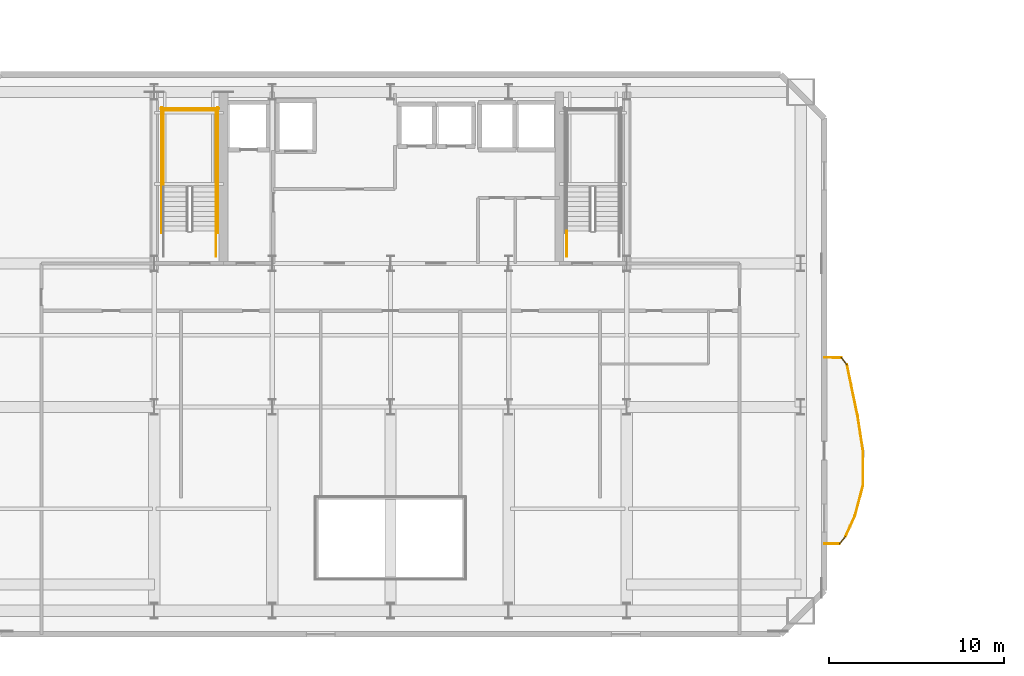
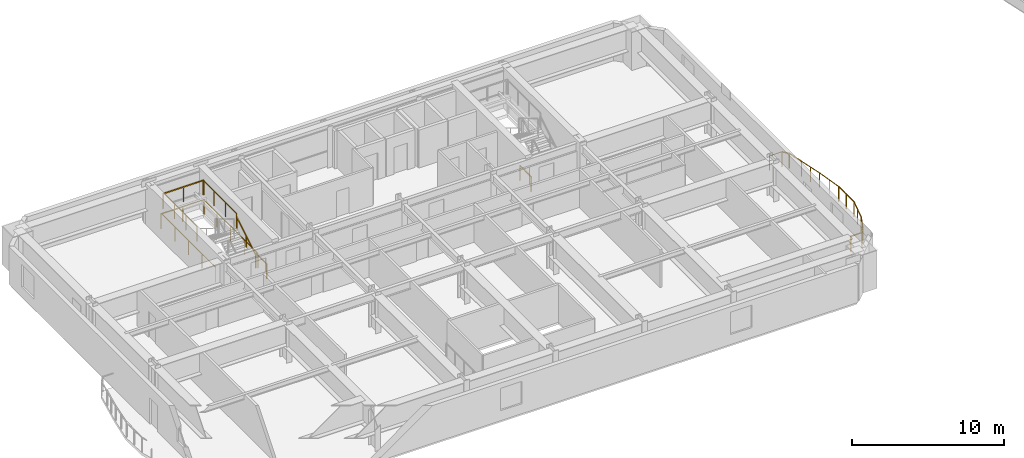
# One storey, part 13 of 16: 19 railings.
"""IFC4 building model written with IfcOpenShell, lengths in metres."""

import ifcopenshell
import ifcopenshell.guid

model = None  # the IFC model being written
_history = None  # IfcOwnerHistory: only IFC2X3 demands one
_inside = {}  # id of a spatial element -> (the spatial element, [elements in it])
_under = {}  # id of a project, library or spatial element -> (it, [spatial elements below it])
_declared = {}  # id of a project -> (the project, [libraries it declares])
_typed = {}  # id of a type object -> (the type object, [elements of that type])
_made_of = {}  # id of a material, layer set ... -> (it, [elements and type objects made of it])


def new_model(schema):
    """Start an empty IFC model of exactly this schema.

    Asked for "IFC4X3", IfcOpenShell would pick the latest addendum, in which some entities
    have other attributes; the version numbers below select the first issue.
    IFC2X3 requires an IfcOwnerHistory on every rooted entity: one is made here for all.
    """
    global model, _history
    if schema == "IFC4X3":
        model = ifcopenshell.file(schema_version=(4, 3, 0, 0))
    else:
        model = ifcopenshell.file(schema=schema)
    _inside.clear()
    _under.clear()
    _declared.clear()
    _typed.clear()
    _made_of.clear()
    _history = None
    if model.schema == "IFC2X3":
        org = make("IfcOrganization", Name="unknown")
        user = make(
            "IfcPersonAndOrganization",
            ThePerson=make("IfcPerson", FamilyName="unknown"),
            TheOrganization=org,
        )
        app = make(
            "IfcApplication",
            ApplicationDeveloper=org,
            Version="unknown",
            ApplicationFullName="unknown",
            ApplicationIdentifier="unknown",
        )
        _history = make(
            "IfcOwnerHistory",
            OwningUser=user,
            OwningApplication=app,
            ChangeAction="ADDED",
            CreationDate=0,
        )
    return model


def make(cls, **values):
    """One entity of the class cls with the attributes given. An attribute that is None is left unset."""
    return model.create_entity(
        cls, **{name: value for name, value in values.items() if value is not None}
    )


def rooted(cls, **values):
    """An entity with a GlobalId (a new one), such as an element, a storey or a relation."""
    return make(cls, GlobalId=ifcopenshell.guid.new(), OwnerHistory=_history, **values)


def si_unit(unit_type, name, prefix=None):
    """IfcSIUnit, for example si_unit("LENGTHUNIT", "METRE", prefix="MILLI")."""
    return make("IfcSIUnit", UnitType=unit_type, Prefix=prefix, Name=name)


def assignment(units):
    """IfcUnitAssignment: the units of a project."""
    return None if units is None else make("IfcUnitAssignment", Units=units)


def point(xyz):
    """IfcCartesianPoint."""
    return None if xyz is None else make("IfcCartesianPoint", Coordinates=xyz)


def direction(xyz):
    """IfcDirection."""
    return None if xyz is None else make("IfcDirection", DirectionRatios=xyz)


def frame(location, z_axis=None, x_axis=None):
    """IfcAxis2Placement3D, a coordinate frame: its origin and axes. An axis left out is left unset."""
    return make(
        "IfcAxis2Placement3D",
        Location=point(location),
        Axis=direction(z_axis),
        RefDirection=direction(x_axis),
    )


def frame_2d(location, x_axis=None):
    """IfcAxis2Placement2D, a coordinate frame in the plane: its origin and x axis."""
    return make(
        "IfcAxis2Placement2D", Location=point(location), RefDirection=direction(x_axis)
    )


def origin():
    """The frame at (0, 0, 0) with its axes left unset."""
    return frame((0.0, 0.0, 0.0))


def origin_2d():
    """The frame at (0, 0) in the plane with its x axis left unset."""
    return frame_2d((0.0, 0.0))


def place(relative_to, where):
    """IfcLocalPlacement: puts the frame where relative to a parent placement (None: the world)."""
    return make(
        "IfcLocalPlacement", PlacementRelTo=relative_to, RelativePlacement=where
    )


def context(
    kind, dimensions, precision=None, world=None, true_north=None, identifier=None
):
    """IfcGeometricRepresentationContext, for example the 3D "Model" context."""
    return make(
        "IfcGeometricRepresentationContext",
        ContextIdentifier=identifier,
        ContextType=kind,
        CoordinateSpaceDimension=dimensions,
        Precision=precision,
        WorldCoordinateSystem=world,
        TrueNorth=true_north,
    )


def subcontext(parent, identifier, kind, view, scale=None):
    """IfcGeometricRepresentationSubContext, for example "Body" below "Model"."""
    return make(
        "IfcGeometricRepresentationSubContext",
        ContextIdentifier=identifier,
        ContextType=kind,
        ParentContext=parent,
        TargetScale=scale,
        TargetView=view,
    )


def project(units=None, contexts=None):
    """IfcProject with its units and contexts."""
    return rooted(
        "IfcProject",
        Name="project",
        RepresentationContexts=contexts,
        UnitsInContext=assignment(units),
    )


def spatial(cls, under=None, at=None, **own):
    """A site, building, storey or space (cls), placed at a placement, below another one or the project."""
    s = rooted(cls, ObjectPlacement=at, **own)
    if under is not None:
        _under.setdefault(under.id(), (under, []))[1].append(s)
    return s


def profile(cls, at=None, kind="AREA", **sizes):
    """A parametric profile (cls). Its sizes go by their IFC names, for example OverallWidth=200.0."""
    return make(cls, ProfileType=kind, Position=at, **sizes)


def rectangle(**sizes):
    """IfcRectangleProfileDef."""
    return profile("IfcRectangleProfileDef", **sizes)


def extrude(swept, where, along, depth):
    """IfcExtrudedAreaSolid: the profile swept, set in the frame where, extruded along a direction by depth."""
    return make(
        "IfcExtrudedAreaSolid",
        SweptArea=swept,
        Position=where,
        ExtrudedDirection=direction(along),
        Depth=depth,
    )


def shape(context_of_items, identifier, shape_type, items):
    """IfcShapeRepresentation: the items that make up one representation, for example the "Body"."""
    return make(
        "IfcShapeRepresentation",
        ContextOfItems=context_of_items,
        RepresentationIdentifier=identifier,
        RepresentationType=shape_type,
        Items=items,
    )


def material(Name=None, Category=None):
    """IfcMaterial."""
    return make("IfcMaterial", Name=Name, Category=Category)


def made_of(thing, what):
    """Note that an element or type object is made of a material, layer set ...; save() writes the relation."""
    if what is not None:
        _made_of.setdefault(what.id(), (what, []))[1].append(thing)
    return thing


def type_object(cls, material=None, **own):
    """A type object (cls), such as IfcWallType, which elements share."""
    return made_of(rooted(cls, **own), material)


def element(
    cls,
    number,
    at=None,
    inside=None,
    cuts=None,
    type_object=None,
    material=None,
    context=None,
    identifier="Body",
    shape_type=None,
    held_by="IfcProductDefinitionShape",
    body=None,
    shapes=None,
    **own,
):
    """One element of the class cls, such as IfcWall. Its Tag is "e" and its number.

    at: its placement. inside: the storey or other place that contains it. cuts: it is an
    opening in that element (IfcRelVoidsElement). A single representation is given by context,
    identifier, shape_type and body (its items); several are given by shapes. held_by: the class
    of the entity that holds the representations. save() writes the other relations.
    """
    e = rooted(cls, Tag="e%d" % number, ObjectPlacement=at, **own)
    if body is not None:
        shapes = [shape(context, identifier, shape_type, body)]
    if shapes is not None:
        e.Representation = make(held_by, Representations=shapes)
    if inside is not None:
        _inside.setdefault(inside.id(), (inside, []))[1].append(e)
    if cuts is not None:
        rooted(
            "IfcRelVoidsElement", RelatingBuildingElement=cuts, RelatedOpeningElement=e
        )
    if type_object is not None:
        _typed.setdefault(type_object.id(), (type_object, []))[1].append(e)
    return made_of(e, material)


def aggregate(whole, parts):
    """IfcRelAggregates: a whole, such as a stair, and the parts it consists of."""
    return rooted("IfcRelAggregates", RelatingObject=whole, RelatedObjects=parts)


def save(model, path):
    """Write the relations noted so far, then the file.

    IfcRelAggregates (storeys below a building ...), IfcRelContainedInSpatialStructure (elements
    in a storey), IfcRelDefinesByType, IfcRelAssociatesMaterial and IfcRelDeclares: one each for
    every whole, place, type object, material and project.
    """
    for whole, parts in _under.values():
        aggregate(whole, parts)
    for where, things in _inside.values():
        rooted(
            "IfcRelContainedInSpatialStructure",
            RelatedElements=things,
            RelatingStructure=where,
        )
    for kind, things in _typed.values():
        rooted("IfcRelDefinesByType", RelatedObjects=things, RelatingType=kind)
    for what, things in _made_of.values():
        rooted("IfcRelAssociatesMaterial", RelatedObjects=things, RelatingMaterial=what)
    for by, libraries in _declared.values():
        rooted("IfcRelDeclares", RelatingContext=by, RelatedDefinitions=libraries)
    model.write(path)


model = new_model("IFC4")

# Units and contexts
model_context = context("Model", 3, precision=1e-05, world=origin(), true_north=direction((0.0, 1.0)))
body_context = subcontext(model_context, "Body", "Model", "MODEL_VIEW")
ifc_project = project(units=[si_unit("LENGTHUNIT", "METRE"), si_unit("AREAUNIT", "SQUARE_METRE"), si_unit("VOLUMEUNIT", "CUBIC_METRE"), si_unit("PLANEANGLEUNIT", "RADIAN"), si_unit("MASSUNIT", "GRAM", prefix="KILO")], contexts=[model_context])

# Site, building, storey
site_placement = place(None, origin())
site = spatial("IfcSite", under=ifc_project, at=site_placement, CompositionType="ELEMENT")
building_placement = place(site_placement, origin())
building = spatial("IfcBuilding", under=site, at=building_placement, Name="Haevon Station Towers", CompositionType="ELEMENT")
storey_placement = place(building_placement, frame((0.0, 0.0, 90.0)))
storey = spatial("IfcBuildingStorey", under=building, at=storey_placement, Name="L23", CompositionType="ELEMENT", Elevation=90.0)

# Railings
ifc_material = material(Name="Steel S355", Category="steel")
railing_type_1 = type_object("IfcRailingType", Name="GRD-EXT1200", PredefinedType="GUARDRAIL", material=ifc_material)
railing_1_placement = place(storey_placement, frame((62.3232421875, 22.177978515625, 0.0)))
element("IfcRailing", 1, at=railing_1_placement, inside=storey, type_object=railing_type_1, Name="L23 Perimeter Guardrail 1", PredefinedType="GUARDRAIL", context=body_context, shape_type="SweptSolid", body=[
    extrude(rectangle(XDim=0.048095703125, YDim=0.048095703125, at=origin_2d()), frame((0.0, 0.0, 1.17578125), z_axis=(0.999997919967, 0.002039622797, 0.0), x_axis=(-0.002039622797, 0.999997919967, 0.0)), (0.0, 0.0, 1.0), 0.837890625),
    extrude(rectangle(XDim=0.0419921875, YDim=0.0419921875, at=origin_2d()), origin(), (0.0, 0.0, 1.0), 1.15185546875),
    extrude(rectangle(XDim=0.0419921875, YDim=0.0419921875, at=origin_2d()), frame((0.837890625, 0.001708984375, 0.0)), (0.0, 0.0, 1.0), 1.15185546875),
])
railing_2_placement = place(storey_placement, frame((63.1611328125, 22.1796875, 0.0)))
element("IfcRailing", 2, at=railing_2_placement, inside=storey, type_object=railing_type_1, Name="L23 Perimeter Guardrail 2", PredefinedType="GUARDRAIL", context=body_context, shape_type="SweptSolid", body=[
    extrude(rectangle(XDim=0.048095703125, YDim=0.048095703125, at=origin_2d()), frame((0.0, 0.0, 1.17578125), z_axis=(0.640139552031, 0.768258650407, 0.0), x_axis=(-0.768258650407, 0.640139552031, 0.0)), (0.0, 0.0, 1.0), 0.535400390625),
    extrude(rectangle(XDim=0.0419921875, YDim=0.0419921875, at=origin_2d()), origin(), (0.0, 0.0, 1.0), 1.15185546875),
    extrude(rectangle(XDim=0.0419921875, YDim=0.0419921875, at=origin_2d()), frame((0.3427734375, 0.411376953125, 0.0)), (0.0, 0.0, 1.0), 1.15185546875),
])
railing_3_placement = place(storey_placement, frame((63.50390625, 22.591064453125, 0.0)))
element("IfcRailing", 3, at=railing_3_placement, inside=storey, type_object=railing_type_1, Name="L23 Perimeter Guardrail 3", PredefinedType="GUARDRAIL", context=body_context, shape_type="SweptSolid", body=[
    extrude(rectangle(XDim=0.048095703125, YDim=0.048095703125, at=origin_2d()), frame((0.0, 0.0, 1.17578125), z_axis=(0.415661077418, 0.909519581273, 0.0), x_axis=(-0.909519581273, 0.415661077418, 0.0)), (0.0, 0.0, 1.0), 1.286376953125),
    extrude(rectangle(XDim=0.0419921875, YDim=0.0419921875, at=origin_2d()), origin(), (0.0, 0.0, 1.0), 1.15185546875),
    extrude(rectangle(XDim=0.0419921875, YDim=0.0419921875, at=origin_2d()), frame((0.267333984375, 0.5849609375, 0.0)), (0.0, 0.0, 1.0), 1.15185546875),
    extrude(rectangle(XDim=0.0419921875, YDim=0.0419921875, at=origin_2d()), frame((0.53466796875, 1.169921875, 0.0)), (0.0, 0.0, 1.0), 1.15185546875),
])
railing_4_placement = place(storey_placement, frame((64.03857421875, 23.760986328125, 0.0)))
element("IfcRailing", 4, at=railing_4_placement, inside=storey, type_object=railing_type_1, Name="L23 Perimeter Guardrail 4", PredefinedType="GUARDRAIL", context=body_context, shape_type="SweptSolid", body=[
    extrude(rectangle(XDim=0.048095703125, YDim=0.048095703125, at=origin_2d()), frame((0.0, 0.0, 1.17578125), z_axis=(0.257014643821, 0.966407508695, 0.0), x_axis=(-0.966407508695, 0.257014643821, 0.0)), (0.0, 0.0, 1.0), 1.8056640625),
    extrude(rectangle(XDim=0.0419921875, YDim=0.0419921875, at=origin_2d()), origin(), (0.0, 0.0, 1.0), 1.15185546875),
    extrude(rectangle(XDim=0.0419921875, YDim=0.0419921875, at=origin_2d()), frame((0.23193359375, 0.87255859375, 0.0)), (0.0, 0.0, 1.0), 1.15185546875),
    extrude(rectangle(XDim=0.0419921875, YDim=0.0419921875, at=origin_2d()), frame((0.464111328125, 1.7451171875, 0.0)), (0.0, 0.0, 1.0), 1.15185546875),
])
railing_5_placement = place(storey_placement, frame((64.502685546875, 25.506103515625, 0.0)))
element("IfcRailing", 5, at=railing_5_placement, inside=storey, type_object=railing_type_1, Name="L23 Perimeter Guardrail 5", PredefinedType="GUARDRAIL", context=body_context, shape_type="SweptSolid", body=[
    extrude(rectangle(XDim=0.048095703125, YDim=0.048095703125, at=origin_2d()), frame((0.0, 0.0, 1.17578125), z_axis=(0.000857107558, 0.999999632683, 0.0), x_axis=(-0.999999632683, 0.000857107558, 0.0)), (0.0, 0.0, 1.0), 1.993896484375),
    extrude(rectangle(XDim=0.0419921875, YDim=0.0419921875, at=origin_2d()), origin(), (0.0, 0.0, 1.0), 1.15185546875),
    extrude(rectangle(XDim=0.0419921875, YDim=0.0419921875, at=origin_2d()), frame((0.0009765625, 0.9970703125, 0.0)), (0.0, 0.0, 1.0), 1.15185546875),
    extrude(rectangle(XDim=0.0419921875, YDim=0.0419921875, at=origin_2d()), frame((0.001708984375, 1.993896484375, 0.0)), (0.0, 0.0, 1.0), 1.15185546875),
])
railing_6_placement = place(storey_placement, frame((64.50439453125, 27.5, 0.0)))
element("IfcRailing", 6, at=railing_6_placement, inside=storey, type_object=railing_type_1, Name="L23 Perimeter Guardrail 6", PredefinedType="GUARDRAIL", context=body_context, shape_type="SweptSolid", body=[
    extrude(rectangle(XDim=0.048095703125, YDim=0.048095703125, at=origin_2d()), frame((0.0, 0.0, 1.17578125), z_axis=(-0.153241396633, 0.988188784776, 0.0), x_axis=(-0.988188784776, -0.153241396633, 0.0)), (0.0, 0.0, 1.0), 2.013671875),
    extrude(rectangle(XDim=0.0419921875, YDim=0.0419921875, at=origin_2d()), origin(), (0.0, 0.0, 1.0), 1.15185546875),
    extrude(rectangle(XDim=0.0419921875, YDim=0.0419921875, at=origin_2d()), frame((-0.154296875, 0.9951171875, 0.0)), (0.0, 0.0, 1.0), 1.15185546875),
    extrude(rectangle(XDim=0.0419921875, YDim=0.0419921875, at=origin_2d()), frame((-0.30859375, 1.989990234375, 0.0)), (0.0, 0.0, 1.0), 1.15185546875),
])
railing_7_placement = place(storey_placement, frame((64.19580078125, 29.489990234375, 0.0)))
element("IfcRailing", 7, at=railing_7_placement, inside=storey, type_object=railing_type_1, Name="L23 Perimeter Guardrail 7", PredefinedType="GUARDRAIL", context=body_context, shape_type="SweptSolid", body=[
    extrude(rectangle(XDim=0.048095703125, YDim=0.048095703125, at=origin_2d()), frame((0.0, 0.0, 1.17578125), z_axis=(-0.203550270134, 0.979064496103, 0.0), x_axis=(-0.979064496103, -0.203550270134, 0.0)), (0.0, 0.0, 1.0), 1.785888671875),
    extrude(rectangle(XDim=0.0419921875, YDim=0.0419921875, at=origin_2d()), origin(), (0.0, 0.0, 1.0), 1.15185546875),
    extrude(rectangle(XDim=0.0419921875, YDim=0.0419921875, at=origin_2d()), frame((-0.181640625, 0.874267578125, 0.0)), (0.0, 0.0, 1.0), 1.15185546875),
    extrude(rectangle(XDim=0.0419921875, YDim=0.0419921875, at=origin_2d()), frame((-0.363525390625, 1.74853515625, 0.0)), (0.0, 0.0, 1.0), 1.15185546875),
])
railing_8_placement = place(storey_placement, frame((63.832275390625, 31.238525390625, 0.0)))
element("IfcRailing", 8, at=railing_8_placement, inside=storey, type_object=railing_type_1, Name="L23 Perimeter Guardrail 8", PredefinedType="GUARDRAIL", context=body_context, shape_type="SweptSolid", body=[
    extrude(rectangle(XDim=0.048095703125, YDim=0.048095703125, at=origin_2d()), frame((0.0, 0.0, 1.17578125), z_axis=(-0.202240814384, 0.97933582238, 0.0), x_axis=(-0.97933582238, -0.202240814384, 0.0)), (0.0, 0.0, 1.0), 1.195068359375),
    extrude(rectangle(XDim=0.0419921875, YDim=0.0419921875, at=origin_2d()), origin(), (0.0, 0.0, 1.0), 1.15185546875),
    extrude(rectangle(XDim=0.0419921875, YDim=0.0419921875, at=origin_2d()), frame((-0.24169921875, 1.17041015625, 0.0)), (0.0, 0.0, 1.0), 1.15185546875),
])
railing_9_placement = place(storey_placement, frame((63.590576171875, 32.408935546875, 0.0)))
element("IfcRailing", 9, at=railing_9_placement, inside=storey, type_object=railing_type_1, Name="L23 Perimeter Guardrail 9", PredefinedType="GUARDRAIL", context=body_context, shape_type="SweptSolid", body=[
    extrude(rectangle(XDim=0.048095703125, YDim=0.048095703125, at=origin_2d()), frame((0.0, 0.0, 1.17578125), z_axis=(-0.61835728621, 0.785897109417, 0.0), x_axis=(-0.785897109417, -0.61835728621, 0.0)), (0.0, 0.0, 1.0), 0.523193359375),
    extrude(rectangle(XDim=0.0419921875, YDim=0.0419921875, at=origin_2d()), origin(), (0.0, 0.0, 1.0), 1.15185546875),
    extrude(rectangle(XDim=0.0419921875, YDim=0.0419921875, at=origin_2d()), frame((-0.323486328125, 0.4111328125, 0.0)), (0.0, 0.0, 1.0), 1.15185546875),
])
railing_10_placement = place(storey_placement, frame((63.26708984375, 32.820068359375, 0.0)))
element("IfcRailing", 10, at=railing_10_placement, inside=storey, type_object=railing_type_1, Name="L23 Perimeter Guardrail 10", PredefinedType="GUARDRAIL", context=body_context, shape_type="SweptSolid", body=[
    extrude(rectangle(XDim=0.048095703125, YDim=0.048095703125, at=origin_2d()), frame((0.0, 0.0, 1.17578125), z_axis=(-0.999997858959, 0.002069317866, 0.0), x_axis=(-0.002069317866, -0.999997858959, 0.0)), (0.0, 0.0, 1.0), 0.94384765625),
    extrude(rectangle(XDim=0.0419921875, YDim=0.0419921875, at=origin_2d()), origin(), (0.0, 0.0, 1.0), 1.15185546875),
    extrude(rectangle(XDim=0.0419921875, YDim=0.0419921875, at=origin_2d()), frame((-0.94384765625, 0.001953125, 0.0)), (0.0, 0.0, 1.0), 1.15185546875),
])
railing_type_2 = type_object("IfcRailingType", Name="GRD-STR1200", PredefinedType="GUARDRAIL", material=ifc_material)
for number, where, name in (
    (11, (27.530029296875, 42.570068359375, 1.64990234375), "L23 ST1 Stair Guard 3"),
    (12, (24.530029296875, 42.570068359375, 1.64990234375), "L23 ST1 Stair Guard 4"),
):
    element("IfcRailing", number, at=place(storey_placement, frame(where)), inside=storey, type_object=railing_type_2, Name=name, PredefinedType="GUARDRAIL", context=body_context, shape_type="SweptSolid", body=[
        extrude(rectangle(XDim=0.048095703125, YDim=0.048095703125, at=origin_2d()), frame((0.0, 0.0, 1.17578125), z_axis=(0.0, 1.0, 0.0), x_axis=(-1.0, 0.0, 0.0)), (0.0, 0.0, 1.0), 4.429931640625),
        extrude(rectangle(XDim=0.0419921875, YDim=0.0419921875, at=origin_2d()), origin(), (0.0, 0.0, 1.0), 1.15185546875),
        extrude(rectangle(XDim=0.0419921875, YDim=0.0419921875, at=origin_2d()), frame((0.0, 1.4765625, 0.0)), (0.0, 0.0, 1.0), 1.15185546875),
        extrude(rectangle(XDim=0.0419921875, YDim=0.0419921875, at=origin_2d()), frame((0.0, 2.953369140625, 0.0)), (0.0, 0.0, 1.0), 1.15185546875),
        extrude(rectangle(XDim=0.0419921875, YDim=0.0419921875, at=origin_2d()), frame((0.0, 4.429931640625, 0.0)), (0.0, 0.0, 1.0), 1.15185546875),
    ])
railing_11_placement = place(storey_placement, frame((27.580078125, 46.949951171875, 1.64990234375)))
element("IfcRailing", 13, at=railing_11_placement, inside=storey, type_object=railing_type_2, Name="L23 ST1 Stair Guard 5", PredefinedType="GUARDRAIL", context=body_context, shape_type="SweptSolid", body=[
    extrude(rectangle(XDim=0.048095703125, YDim=0.048095703125, at=origin_2d()), frame((0.0, 0.0, 1.17578125), z_axis=(-1.0, 0.0, 0.0), x_axis=(0.0, -1.0, 0.0)), (0.0, 0.0, 1.0), 3.10009765625),
    extrude(rectangle(XDim=0.0419921875, YDim=0.0419921875, at=origin_2d()), origin(), (0.0, 0.0, 1.0), 1.15185546875),
    extrude(rectangle(XDim=0.0419921875, YDim=0.0419921875, at=origin_2d()), frame((-1.550048828125, 0.0, 0.0)), (0.0, 0.0, 1.0), 1.15185546875),
    extrude(rectangle(XDim=0.0419921875, YDim=0.0419921875, at=origin_2d()), frame((-3.10009765625, 0.0, 0.0)), (0.0, 0.0, 1.0), 1.15185546875),
])
railing_12_placement = place(storey_placement, frame((27.530029296875, 38.60009765625, 0.0)))
element("IfcRailing", 14, at=railing_12_placement, inside=storey, type_object=railing_type_2, Name="L23 ST1 Stair Guard 8", PredefinedType="GUARDRAIL", context=body_context, shape_type="SweptSolid", body=[
    extrude(rectangle(XDim=0.048095703125, YDim=0.048095703125, at=origin_2d()), frame((0.0, 0.0, 1.17578125), z_axis=(0.0, 1.0, 0.0), x_axis=(-1.0, 0.0, 0.0)), (0.0, 0.0, 1.0), 1.449951171875),
    extrude(rectangle(XDim=0.0419921875, YDim=0.0419921875, at=origin_2d()), origin(), (0.0, 0.0, 1.0), 1.15185546875),
    extrude(rectangle(XDim=0.0419921875, YDim=0.0419921875, at=origin_2d()), frame((0.0, 1.449951171875, 0.0)), (0.0, 0.0, 1.0), 1.15185546875),
])
for number, where, name in (
    (15, (27.6298828125, 39.949951171875, 0.0), "L23 ST1 Stair Guard 10"),
    (16, (24.429931640625, 39.949951171875, 0.0), "L23 ST1 Stair Guard 11"),
):
    element("IfcRailing", number, at=place(storey_placement, frame(where)), inside=storey, type_object=railing_type_2, Name=name, PredefinedType="GUARDRAIL", context=body_context, shape_type="SweptSolid", body=[
        extrude(rectangle(XDim=0.048095703125, YDim=0.048095703125, at=origin_2d()), frame((0.0, 0.0, 1.17578125), z_axis=(0.0, 1.0, 0.0), x_axis=(-1.0, 0.0, 0.0)), (0.0, 0.0, 1.0), 7.150146484375),
        extrude(rectangle(XDim=0.0419921875, YDim=0.0419921875, at=origin_2d()), origin(), (0.0, 0.0, 1.0), 1.15185546875),
        extrude(rectangle(XDim=0.0419921875, YDim=0.0419921875, at=origin_2d()), frame((0.0, 1.78759765625, 0.0)), (0.0, 0.0, 1.0), 1.15185546875),
        extrude(rectangle(XDim=0.0419921875, YDim=0.0419921875, at=origin_2d()), frame((0.0, 3.5751953125, 0.0)), (0.0, 0.0, 1.0), 1.15185546875),
        extrude(rectangle(XDim=0.0419921875, YDim=0.0419921875, at=origin_2d()), frame((0.0, 5.362548828125, 0.0)), (0.0, 0.0, 1.0), 1.15185546875),
        extrude(rectangle(XDim=0.0419921875, YDim=0.0419921875, at=origin_2d()), frame((0.0, 7.150146484375, 0.0)), (0.0, 0.0, 1.0), 1.15185546875),
    ])
railing_13_placement = place(storey_placement, frame((27.679931640625, 47.050048828125, 0.0)))
element("IfcRailing", 17, at=railing_13_placement, inside=storey, type_object=railing_type_2, Name="L23 ST1 Stair Guard 12", PredefinedType="GUARDRAIL", context=body_context, shape_type="SweptSolid", body=[
    extrude(rectangle(XDim=0.048095703125, YDim=0.048095703125, at=origin_2d()), frame((0.0, 0.0, 1.17578125), z_axis=(-1.0, 0.0, 0.0), x_axis=(0.0, -1.0, 0.0)), (0.0, 0.0, 1.0), 3.300048828125),
    extrude(rectangle(XDim=0.0419921875, YDim=0.0419921875, at=origin_2d()), origin(), (0.0, 0.0, 1.0), 1.15185546875),
    extrude(rectangle(XDim=0.0419921875, YDim=0.0419921875, at=origin_2d()), frame((-1.64990234375, 0.0, 0.0)), (0.0, 0.0, 1.0), 1.15185546875),
    extrude(rectangle(XDim=0.0419921875, YDim=0.0419921875, at=origin_2d()), frame((-3.300048828125, 0.0, 0.0)), (0.0, 0.0, 1.0), 1.15185546875),
])
railing_14_placement = place(storey_placement, frame((47.570068359375, 38.60009765625, 0.0)))
element("IfcRailing", 18, at=railing_14_placement, inside=storey, type_object=railing_type_2, Name="L23 ST2 Stair Guard 9", PredefinedType="GUARDRAIL", context=body_context, shape_type="SweptSolid", body=[
    extrude(rectangle(XDim=0.048095703125, YDim=0.048095703125, at=origin_2d()), frame((0.0, 0.0, 1.17578125), z_axis=(0.0, 1.0, 0.0), x_axis=(-1.0, 0.0, 0.0)), (0.0, 0.0, 1.0), 1.449951171875),
    extrude(rectangle(XDim=0.0419921875, YDim=0.0419921875, at=origin_2d()), origin(), (0.0, 0.0, 1.0), 1.15185546875),
    extrude(rectangle(XDim=0.0419921875, YDim=0.0419921875, at=origin_2d()), frame((0.0, 1.449951171875, 0.0)), (0.0, 0.0, 1.0), 1.15185546875),
])
railing_type_3 = type_object("IfcRailingType", Name="HND-STR900", PredefinedType="HANDRAIL", material=ifc_material)
railing_15_placement = place(storey_placement, frame((27.530029296875, 40.050048828125, 0.1650390625)))
element("IfcRailing", 19, at=railing_15_placement, inside=storey, type_object=railing_type_3, Name="L23 ST1 Stair Handrail 1", PredefinedType="HANDRAIL", context=body_context, shape_type="SweptSolid", body=[
    extrude(rectangle(XDim=0.048095703125, YDim=0.048095703125, at=origin_2d()), frame((0.0, 0.0, 0.8759765625), z_axis=(0.0, 0.861560626758, 0.507654692109), x_axis=(-1.0, 0.0, 0.0)), (0.0, 0.0, 1.0), 2.925048828125),
    extrude(rectangle(XDim=0.0419921875, YDim=0.0419921875, at=origin_2d()), origin(), (0.0, 0.0, 1.0), 0.851806640625),
    extrude(rectangle(XDim=0.0419921875, YDim=0.0419921875, at=origin_2d()), frame((0.0, 1.260009765625, 0.742431640625)), (0.0, 0.0, 1.0), 0.851806640625),
    extrude(rectangle(XDim=0.0419921875, YDim=0.0419921875, at=origin_2d()), frame((0.0, 2.52001953125, 1.48486328125)), (0.0, 0.0, 1.0), 0.851806640625),
])

save(model, "model.ifc")
